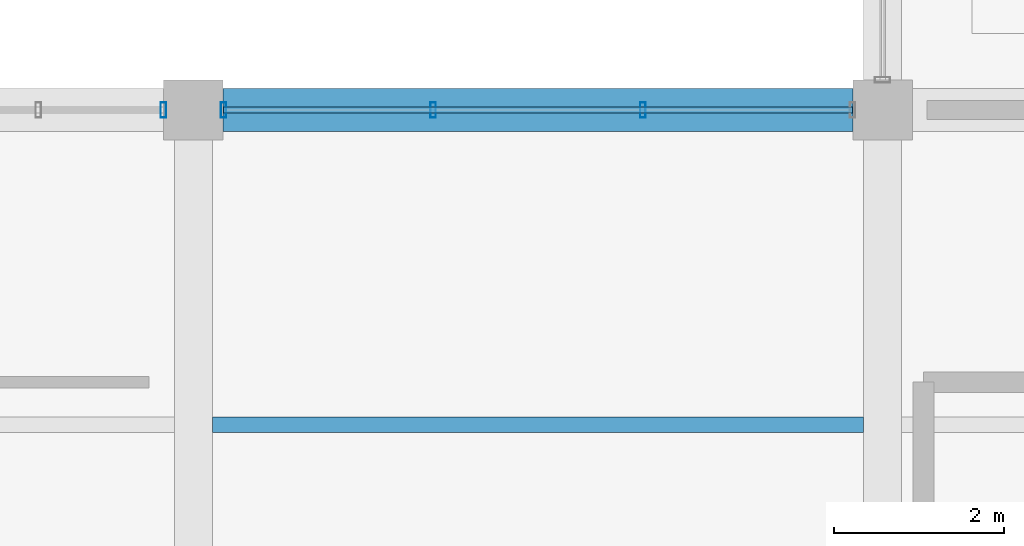
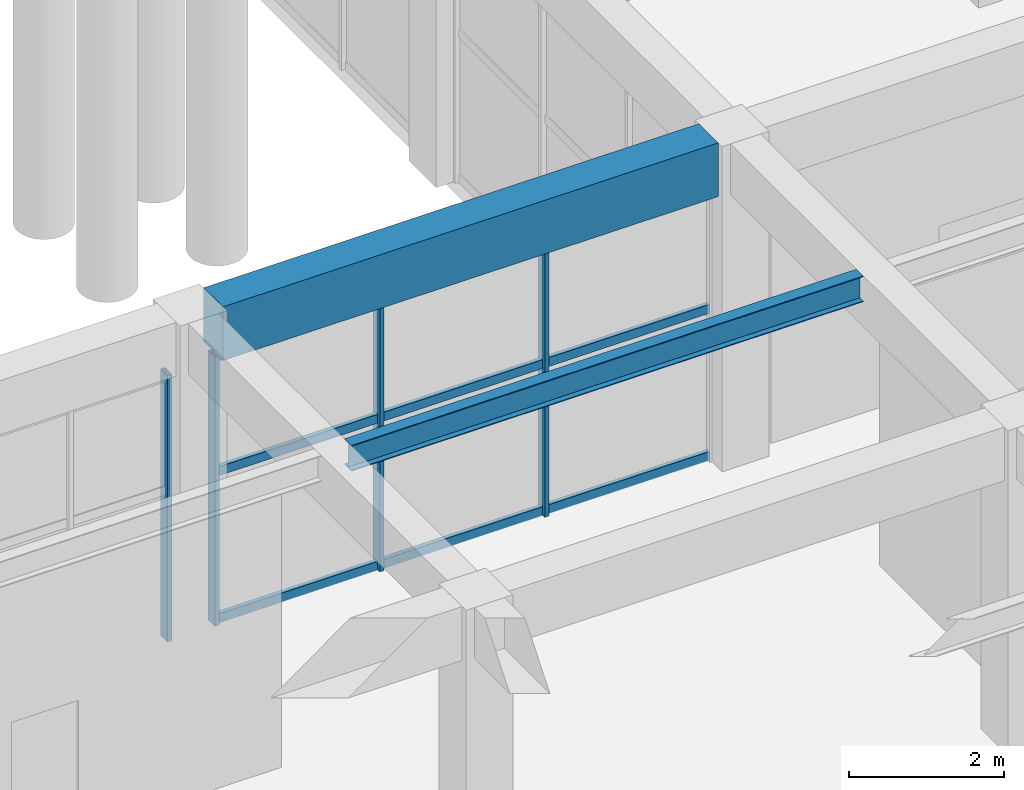
# One storey, part 43 of 140: 7 members, 2 beams, 2 elements without a shape of their own.
"""IFC4 building model written with IfcOpenShell, lengths in metres."""

from ifc_helpers import new_model, si_unit, direction, frame, origin, origin_2d, place, context, subcontext, project, spatial, rectangle, hollow_rectangle, i_section, extrude, material, material_profile, profile_set, type_object, element, aggregate, save


model = new_model("IFC4")

# Units and contexts
model_context = context("Model", 3, precision=1e-05, world=origin(), true_north=direction((0.0, 1.0)))
body_context = subcontext(model_context, "Body", "Model", "MODEL_VIEW")
ifc_project = project(units=[si_unit("LENGTHUNIT", "METRE"), si_unit("AREAUNIT", "SQUARE_METRE"), si_unit("VOLUMEUNIT", "CUBIC_METRE"), si_unit("PLANEANGLEUNIT", "RADIAN"), si_unit("MASSUNIT", "GRAM", prefix="KILO")], contexts=[model_context])

# Site, building, storey
site_placement = place(None, origin())
site = spatial("IfcSite", under=ifc_project, at=site_placement, CompositionType="ELEMENT")
building_placement = place(site_placement, origin())
building = spatial("IfcBuilding", under=site, at=building_placement, Name="Cimatlan Art Gallery", CompositionType="ELEMENT")
storey_placement = place(building_placement, origin())
storey = spatial("IfcBuildingStorey", under=building, at=storey_placement, Name="L00", CompositionType="ELEMENT", Elevation=0.0)

# Beams
ifc_material_1 = material(Name="Concrete C40/50", Category="concrete")
ifc_material_profile_1 = material_profile(ifc_material_1, rectangle(XDim=0.5, YDim=0.85009765625, at=origin_2d()), Name="RC500X850")
ifc_profile_set_1 = profile_set([ifc_material_profile_1], Name="Concrete C40/50")
beam_type_1 = type_object("IfcBeamType", Name="BM-RC-500X850", PredefinedType="BEAM", material=ifc_profile_set_1)
beam_1_placement = place(storey_placement, frame((107.64990234375, 38.699951171875, 4.7099609375), z_axis=(1.0, 0.0, 0.0), x_axis=(0.0, 1.0, 0.0)))
element("IfcBeam", 1, at=beam_1_placement, inside=storey, type_object=beam_type_1, Name="BM-X-L00-13-05", PredefinedType="BEAM", context=body_context, shape_type="SweptSolid", body=[
    extrude(rectangle(XDim=0.5, YDim=0.85009765625, at=origin_2d()), origin(), (0.0, 0.0, 1.0), 7.400146484375),
])
ifc_material_2 = material(Name="Steel ASTM A992 Grade 50", Category="steel")
ifc_material_profile_2 = material_profile(ifc_material_2, i_section(OverallWidth=0.177978515625, OverallDepth=0.406982421875, WebThickness=0.0078125, FlangeThickness=0.0126953125, at=origin_2d()), Name="W16X40")
ifc_profile_set_2 = profile_set([ifc_material_profile_2], Name="Steel ASTM A992 Grade 50")
beam_type_2 = type_object("IfcBeamType", Name="BM-STL-W16X40", PredefinedType="JOIST", material=ifc_profile_set_2)
beam_2_placement = place(storey_placement, frame((107.52490234375, 35.0, 4.931396484375), z_axis=(1.0, 0.0, 0.0), x_axis=(0.0, 1.0, 0.0)))
element("IfcBeam", 2, at=beam_2_placement, inside=storey, type_object=beam_type_2, Name="JST-L00-13-04", PredefinedType="JOIST", context=body_context, shape_type="SweptSolid", body=[
    extrude(i_section(OverallWidth=0.177978515625, OverallDepth=0.406982421875, WebThickness=0.0078125, FlangeThickness=0.0126953125, at=origin_2d()), origin(), (0.0, 0.0, 1.0), 7.650146484375),
])

# Curtain wall, member
ifc_material_3 = material(Name="Anodised bronze unitised curtain wall")
curtain_wall_type_1 = type_object("IfcCurtainWallType", Name="CW-V-07342X04210-B5", PredefinedType="NOTDEFINED", material=ifc_material_3)
curtain_wall_1_placement = place(storey_placement, origin())
curtain_wall_1 = element("IfcCurtainWall", 3, at=curtain_wall_1_placement, inside=storey, type_object=curtain_wall_type_1, Name="CW-L00-12-04-N", PredefinedType="NOTDEFINED")
ifc_material_4 = material(Name="Anodised bronze aluminium 6063-T6", Category="aluminium")
ifc_material_profile_3 = material_profile(ifc_material_4, hollow_rectangle(XDim=0.06494140625, YDim=0.179931640625, WallThickness=0.00390625, at=origin_2d()), Name="ALU65X180X4")
ifc_profile_set_3 = profile_set([ifc_material_profile_3], Name="Anodised bronze aluminium 6063-T6")
member_type_1 = type_object("IfcMemberType", Name="CW-MUL-180", PredefinedType="MULLION", material=ifc_profile_set_3)
member_1_placement = place(storey_placement, frame((106.946044921875, 38.699951171875, 0.0), z_axis=(0.0, 0.0, 1.0), x_axis=(1.0, 0.0, 0.0)))
member_1 = element("IfcMember", 4, at=member_1_placement, type_object=member_type_1, Name="CW-L00-12-04-N-M6", PredefinedType="MULLION", context=body_context, shape_type="SweptSolid", body=[
    extrude(hollow_rectangle(XDim=0.06494140625, YDim=0.179931640625, WallThickness=0.00390625, at=origin_2d()), origin(), (0.0, 0.0, 1.0), 4.2099609375),
])
aggregate(curtain_wall_1, [member_1])

# Curtain wall, members
curtain_wall_type_2 = type_object("IfcCurtainWallType", Name="CW-V-07392X04255-B3", PredefinedType="NOTDEFINED", material=ifc_material_3)
curtain_wall_2_placement = place(storey_placement, origin())
curtain_wall_2 = element("IfcCurtainWall", 5, at=curtain_wall_2_placement, inside=storey, type_object=curtain_wall_type_2, Name="CW-L00-13-04-N", PredefinedType="NOTDEFINED")
member_2_placement = place(storey_placement, frame((107.654052734375, 38.699951171875, 0.0), z_axis=(0.0, 0.0, 1.0), x_axis=(1.0, 0.0, 0.0)))
member_2 = element("IfcMember", 6, at=member_2_placement, type_object=member_type_1, Name="CW-L00-13-04-N-M1", PredefinedType="MULLION", context=body_context, shape_type="SweptSolid", body=[
    extrude(hollow_rectangle(XDim=0.06494140625, YDim=0.179931640625, WallThickness=0.00390625, at=origin_2d()), origin(), (0.0, 0.0, 1.0), 4.2548828125),
])
member_3_placement = place(storey_placement, frame((110.117919921875, 38.699951171875, 0.0), z_axis=(0.0, 0.0, 1.0), x_axis=(1.0, 0.0, 0.0)))
member_3 = element("IfcMember", 7, at=member_3_placement, type_object=member_type_1, Name="CW-L00-13-04-N-M2", PredefinedType="MULLION", context=body_context, shape_type="SweptSolid", body=[
    extrude(hollow_rectangle(XDim=0.06494140625, YDim=0.179931640625, WallThickness=0.00390625, at=origin_2d()), origin(), (0.0, 0.0, 1.0), 4.2548828125),
])
member_4_placement = place(storey_placement, frame((112.58203125, 38.699951171875, 0.0), z_axis=(0.0, 0.0, 1.0), x_axis=(1.0, 0.0, 0.0)))
member_4 = element("IfcMember", 8, at=member_4_placement, type_object=member_type_1, Name="CW-L00-13-04-N-M3", PredefinedType="MULLION", context=body_context, shape_type="SweptSolid", body=[
    extrude(hollow_rectangle(XDim=0.06494140625, YDim=0.179931640625, WallThickness=0.00390625, at=origin_2d()), origin(), (0.0, 0.0, 1.0), 4.2548828125),
])
ifc_material_profile_4 = material_profile(ifc_material_4, hollow_rectangle(XDim=0.06494140625, YDim=0.139892578125, WallThickness=0.00390625, at=origin_2d()), Name="ALU65X140X4")
ifc_profile_set_4 = profile_set([ifc_material_profile_4], Name="Anodised bronze aluminium 6063-T6")
member_type_2 = type_object("IfcMemberType", Name="CW-TRN-140", PredefinedType="USERDEFINED", material=ifc_profile_set_4)
member_5_placement = place(storey_placement, frame((107.654052734375, 38.699951171875, 0.06005859375), z_axis=(1.0, 0.0, 0.0), x_axis=(0.0, 1.0, 0.0)))
member_5 = element("IfcMember", 9, at=member_5_placement, type_object=member_type_2, Name="CW-L00-13-04-N-T1", ObjectType="TRANSOM", PredefinedType="USERDEFINED", context=body_context, shape_type="SweptSolid", body=[
    extrude(hollow_rectangle(XDim=0.06494140625, YDim=0.139892578125, WallThickness=0.00390625, at=origin_2d()), origin(), (0.0, 0.0, 1.0), 7.391845703125),
])
member_6_placement = place(storey_placement, frame((107.654052734375, 38.699951171875, 2.3828125), z_axis=(1.0, 0.0, 0.0), x_axis=(0.0, 1.0, 0.0)))
member_6 = element("IfcMember", 10, at=member_6_placement, type_object=member_type_2, Name="CW-L00-13-04-N-T2", ObjectType="TRANSOM", PredefinedType="USERDEFINED", context=body_context, shape_type="SweptSolid", body=[
    extrude(hollow_rectangle(XDim=0.06494140625, YDim=0.139892578125, WallThickness=0.00390625, at=origin_2d()), origin(), (0.0, 0.0, 1.0), 7.391845703125),
])
member_7_placement = place(storey_placement, frame((107.654052734375, 38.699951171875, 4.195068359375), z_axis=(1.0, 0.0, 0.0), x_axis=(0.0, 1.0, 0.0)))
member_7 = element("IfcMember", 11, at=member_7_placement, type_object=member_type_2, Name="CW-L00-13-04-N-T3", ObjectType="TRANSOM", PredefinedType="USERDEFINED", context=body_context, shape_type="SweptSolid", body=[
    extrude(hollow_rectangle(XDim=0.06494140625, YDim=0.139892578125, WallThickness=0.00390625, at=origin_2d()), origin(), (0.0, 0.0, 1.0), 7.391845703125),
])
aggregate(curtain_wall_2, [member_2, member_3, member_4, member_5, member_6, member_7])

save(model, "model.ifc")
